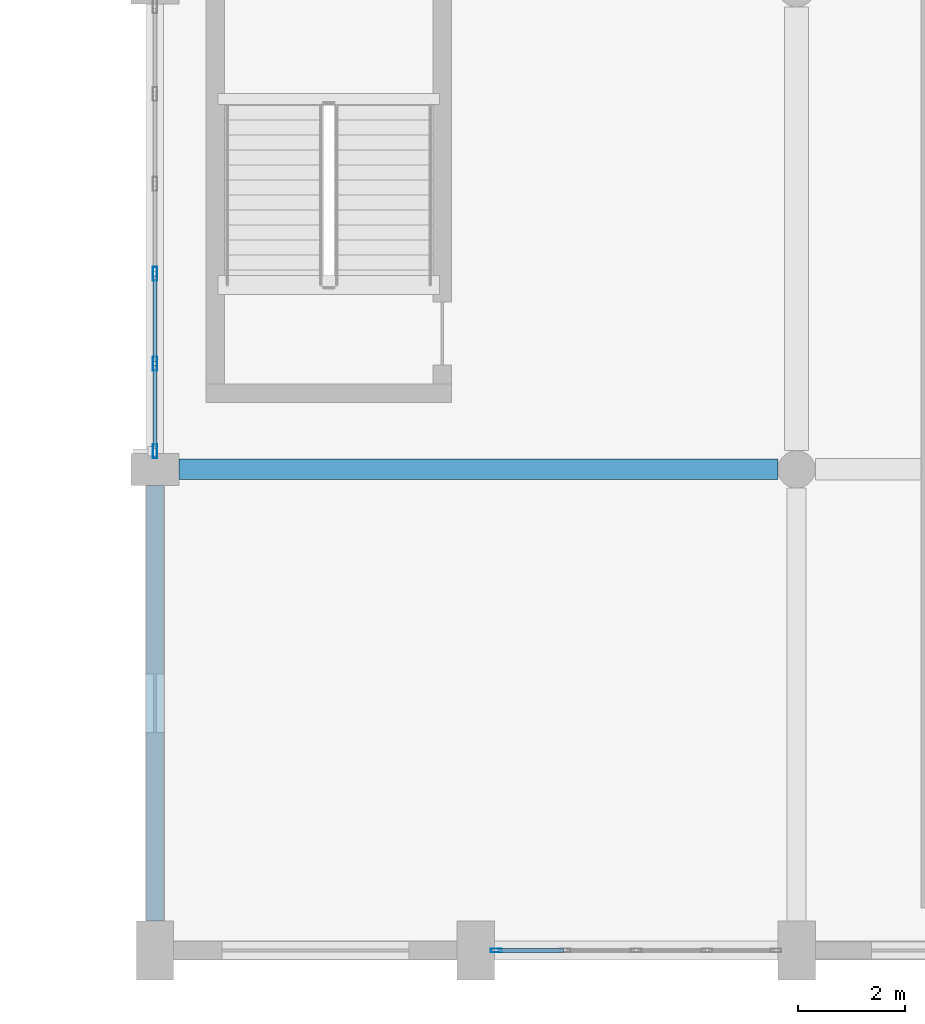
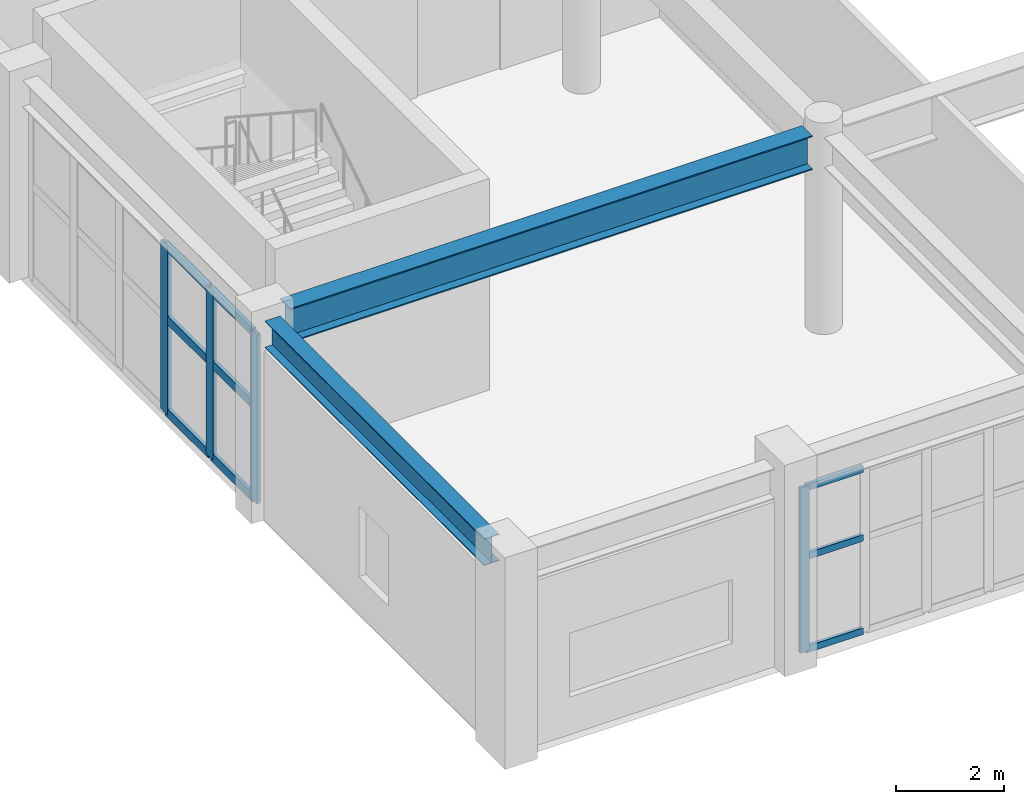
# One storey, part 4 of 85: 13 members, 2 beams, 2 elements without a shape of their own.
"""IFC4 building model written with IfcOpenShell, lengths in metres."""

from ifc_helpers import new_model, si_unit, direction, frame, origin, origin_2d, place, context, subcontext, project, spatial, hollow_rectangle, i_section, extrude, material, layer, layer_set, material_profile, profile_set, type_object, element, aggregate, save


model = new_model("IFC4")

# Units and contexts
model_context = context("Model", 3, precision=1e-05, world=origin(), true_north=direction((0.0, 1.0)))
body_context = subcontext(model_context, "Body", "Model", "MODEL_VIEW")
ifc_project = project(units=[si_unit("LENGTHUNIT", "METRE"), si_unit("AREAUNIT", "SQUARE_METRE"), si_unit("VOLUMEUNIT", "CUBIC_METRE"), si_unit("PLANEANGLEUNIT", "RADIAN"), si_unit("MASSUNIT", "GRAM", prefix="KILO")], contexts=[model_context])

# Site, building, storey
site_placement = place(None, origin())
site = spatial("IfcSite", under=ifc_project, at=site_placement, CompositionType="ELEMENT")
building_placement = place(site_placement, origin())
building = spatial("IfcBuilding", under=site, at=building_placement, Name="Vaelkrest Opera House", CompositionType="ELEMENT")
storey_placement = place(building_placement, frame((0.0, 0.0, 10.199951171875)))
storey = spatial("IfcBuildingStorey", under=building, at=storey_placement, Name="L02", CompositionType="ELEMENT", Elevation=10.199951171875)

# Beam
ifc_material_1 = material(Name="Steel A992 Gr50", Category="steel")
ifc_material_profile_1 = material_profile(ifc_material_1, i_section(OverallWidth=0.381103515625, OverallDepth=0.77294921875, WebThickness=0.0166015625, FlangeThickness=0.027099609375, at=origin_2d()), Name="W30X173")
ifc_profile_set_1 = profile_set([ifc_material_profile_1], Name="Steel A992 Gr50")
beam_type_1 = type_object("IfcBeamType", Name="B11", PredefinedType="BEAM", material=ifc_profile_set_1)
beam_1_placement = place(storey_placement, frame((-29.550048828125, -46.800048828125, 4.11865234375), z_axis=(1.0, 0.0, 0.0), x_axis=(0.0, 1.0, 0.0)))
element("IfcBeam", 1, at=beam_1_placement, inside=storey, type_object=beam_type_1, Name="Beam BM-V1-L02-0323", PredefinedType="BEAM", context=body_context, shape_type="SweptSolid", body=[
    extrude(i_section(OverallWidth=0.381103515625, OverallDepth=0.77294921875, WebThickness=0.0166015625, FlangeThickness=0.027099609375, at=origin_2d()), origin(), (0.0, 0.0, 1.0), 11.199951171875),
])

# Curtain wall, member
ifc_material_2 = material(Name="Dark bronze anodized aluminium", Category="aluminium")
ifc_layer_1 = layer(ifc_material_2, 0.18994140625)
ifc_layer_set_1 = layer_set([ifc_layer_1], Name="Dark bronze anodized aluminium")
curtain_wall_type_1 = type_object("IfcCurtainWallType", Name="CW02", PredefinedType="NOTDEFINED", material=ifc_layer_set_1)
curtain_wall_1_placement = place(storey_placement, origin())
curtain_wall_1 = element("IfcCurtainWall", 2, at=curtain_wall_1_placement, inside=storey, type_object=curtain_wall_type_1, Name="Curtain wall CW-L02-035", PredefinedType="NOTDEFINED")
ifc_material_profile_2 = material_profile(ifc_material_2, hollow_rectangle(XDim=0.070068359375, YDim=0.199951171875, WallThickness=0.004150390625, at=origin_2d()), Name="CWM70X200")
ifc_profile_set_2 = profile_set([ifc_material_profile_2], Name="Dark bronze anodized aluminium")
member_type_1 = type_object("IfcMemberType", Name="CWM02", PredefinedType="MULLION", material=ifc_profile_set_2)
member_1_placement = place(storey_placement, frame((-23.616943359375, -55.800048828125, 0.0), z_axis=(0.0, 0.0, 1.0), x_axis=(0.0, -1.0, 0.0)))
member_1 = element("IfcMember", 3, at=member_1_placement, type_object=member_type_1, Name="CW02 mullion 5", PredefinedType="MULLION", context=body_context, shape_type="SweptSolid", body=[
    extrude(hollow_rectangle(XDim=0.070068359375, YDim=0.199951171875, WallThickness=0.004150390625, at=origin_2d()), origin(), (0.0, 0.0, 1.0), 3.7451171875),
])

# Curtain wall, members
ifc_layer_2 = layer(ifc_material_2, 0.2099609375)
ifc_layer_set_2 = layer_set([ifc_layer_2], Name="Dark bronze anodized aluminium")
curtain_wall_type_2 = type_object("IfcCurtainWallType", Name="CW04", PredefinedType="NOTDEFINED", material=ifc_layer_set_2)
curtain_wall_2_placement = place(storey_placement, origin())
curtain_wall_2 = element("IfcCurtainWall", 4, at=curtain_wall_2_placement, inside=storey, type_object=curtain_wall_type_2, Name="Curtain wall CW-L02-036", PredefinedType="NOTDEFINED")
ifc_material_profile_3 = material_profile(ifc_material_2, hollow_rectangle(XDim=0.080078125, YDim=0.260009765625, WallThickness=0.0048828125, at=origin_2d()), Name="CWM80X260")
ifc_profile_set_3 = profile_set([ifc_material_profile_3], Name="Dark bronze anodized aluminium")
member_type_2 = type_object("IfcMemberType", Name="CWM04", PredefinedType="MULLION", material=ifc_profile_set_3)
member_2_placement = place(storey_placement, frame((-30.0, -46.4619140625, 0.0), z_axis=(0.0, 0.0, 1.0), x_axis=(-1.0, 0.0, 0.0)))
member_2 = element("IfcMember", 5, at=member_2_placement, type_object=member_type_2, Name="CW04 mullion 1", PredefinedType="MULLION", context=body_context, shape_type="SweptSolid", body=[
    extrude(hollow_rectangle(XDim=0.080078125, YDim=0.260009765625, WallThickness=0.0048828125, at=origin_2d()), origin(), (0.0, 0.0, 1.0), 3.8291015625),
])
member_3_placement = place(storey_placement, frame((-30.0, -44.8212890625, 0.0), z_axis=(0.0, 0.0, 1.0), x_axis=(-1.0, 0.0, 0.0)))
member_3 = element("IfcMember", 6, at=member_3_placement, type_object=member_type_2, Name="CW04 mullion 2", PredefinedType="MULLION", context=body_context, shape_type="SweptSolid", body=[
    extrude(hollow_rectangle(XDim=0.080078125, YDim=0.260009765625, WallThickness=0.0048828125, at=origin_2d()), origin(), (0.0, 0.0, 1.0), 3.8291015625),
])
member_4_placement = place(storey_placement, frame((-30.0, -43.140380859375, 0.0), z_axis=(0.0, 0.0, 1.0), x_axis=(-1.0, 0.0, 0.0)))
member_4 = element("IfcMember", 7, at=member_4_placement, type_object=member_type_2, Name="CW04 mullion 3", PredefinedType="MULLION", context=body_context, shape_type="SweptSolid", body=[
    extrude(hollow_rectangle(XDim=0.080078125, YDim=0.260009765625, WallThickness=0.0048828125, at=origin_2d()), origin(), (0.0, 0.0, 1.0), 3.8291015625),
])

# Member
ifc_material_profile_4 = material_profile(ifc_material_2, hollow_rectangle(XDim=0.070068359375, YDim=0.14990234375, WallThickness=0.004150390625, at=origin_2d()), Name="CWT70X150")
ifc_profile_set_4 = profile_set([ifc_material_profile_4], Name="Dark bronze anodized aluminium")
member_type_3 = type_object("IfcMemberType", Name="CWT02", PredefinedType="USERDEFINED", material=ifc_profile_set_4)
member_5_placement = place(storey_placement, frame((-22.361083984375, -55.800048828125, 0.03515625), z_axis=(-1.0, 0.0, 0.0), x_axis=(0.0, -1.0, 0.0)))
member_5 = element("IfcMember", 8, at=member_5_placement, type_object=member_type_3, Name="CW02 transom 4.1", ObjectType="TRANSOM", PredefinedType="USERDEFINED", context=body_context, shape_type="SweptSolid", body=[
    extrude(hollow_rectangle(XDim=0.070068359375, YDim=0.14990234375, WallThickness=0.004150390625, at=origin_2d()), origin(), (0.0, 0.0, 1.0), 1.220947265625),
])

member_6_placement = place(storey_placement, frame((-22.361083984375, -55.800048828125, 2.150146484375), z_axis=(-1.0, 0.0, 0.0), x_axis=(0.0, -1.0, 0.0)))
member_6 = element("IfcMember", 9, at=member_6_placement, type_object=member_type_3, Name="CW02 transom 4.2", ObjectType="TRANSOM", PredefinedType="USERDEFINED", context=body_context, shape_type="SweptSolid", body=[
    extrude(hollow_rectangle(XDim=0.070068359375, YDim=0.14990234375, WallThickness=0.004150390625, at=origin_2d()), origin(), (0.0, 0.0, 1.0), 1.220947265625),
])

member_7_placement = place(storey_placement, frame((-22.361083984375, -55.800048828125, 3.7099609375), z_axis=(-1.0, 0.0, 0.0), x_axis=(0.0, -1.0, 0.0)))
member_7 = element("IfcMember", 10, at=member_7_placement, type_object=member_type_3, Name="CW02 transom 4.3", ObjectType="TRANSOM", PredefinedType="USERDEFINED", context=body_context, shape_type="SweptSolid", body=[
    extrude(hollow_rectangle(XDim=0.070068359375, YDim=0.14990234375, WallThickness=0.004150390625, at=origin_2d()), origin(), (0.0, 0.0, 1.0), 1.220947265625),
])

aggregate(curtain_wall_1, [member_1, member_5, member_6, member_7])

ifc_material_profile_5 = material_profile(ifc_material_2, hollow_rectangle(XDim=0.080078125, YDim=0.18994140625, WallThickness=0.0048828125, at=origin_2d()), Name="CWT80X190")
ifc_profile_set_5 = profile_set([ifc_material_profile_5], Name="Dark bronze anodized aluminium")
member_type_4 = type_object("IfcMemberType", Name="CWT04", PredefinedType="USERDEFINED", material=ifc_profile_set_5)
member_8_placement = place(storey_placement, frame((-30.0, -46.422119140625, 0.0400390625), z_axis=(0.0, 1.0, 0.0), x_axis=(-1.0, 0.0, 0.0)))
member_8 = element("IfcMember", 11, at=member_8_placement, type_object=member_type_4, Name="CW04 transom 1.1", ObjectType="TRANSOM", PredefinedType="USERDEFINED", context=body_context, shape_type="SweptSolid", body=[
    extrude(hollow_rectangle(XDim=0.080078125, YDim=0.18994140625, WallThickness=0.0048828125, at=origin_2d()), origin(), (0.0, 0.0, 1.0), 1.56103515625),
])

member_9_placement = place(storey_placement, frame((-30.0, -46.422119140625, 2.150146484375), z_axis=(0.0, 1.0, 0.0), x_axis=(-1.0, 0.0, 0.0)))
member_9 = element("IfcMember", 12, at=member_9_placement, type_object=member_type_4, Name="CW04 transom 1.2", ObjectType="TRANSOM", PredefinedType="USERDEFINED", context=body_context, shape_type="SweptSolid", body=[
    extrude(hollow_rectangle(XDim=0.080078125, YDim=0.18994140625, WallThickness=0.0048828125, at=origin_2d()), origin(), (0.0, 0.0, 1.0), 1.56103515625),
])

member_10_placement = place(storey_placement, frame((-30.0, -46.422119140625, 3.7890625), z_axis=(0.0, 1.0, 0.0), x_axis=(-1.0, 0.0, 0.0)))
member_10 = element("IfcMember", 13, at=member_10_placement, type_object=member_type_4, Name="CW04 transom 1.3", ObjectType="TRANSOM", PredefinedType="USERDEFINED", context=body_context, shape_type="SweptSolid", body=[
    extrude(hollow_rectangle(XDim=0.080078125, YDim=0.18994140625, WallThickness=0.0048828125, at=origin_2d()), origin(), (0.0, 0.0, 1.0), 1.56103515625),
])

member_11_placement = place(storey_placement, frame((-30.0, -44.78125, 0.0400390625), z_axis=(0.0, 1.0, 0.0), x_axis=(-1.0, 0.0, 0.0)))
member_11 = element("IfcMember", 14, at=member_11_placement, type_object=member_type_4, Name="CW04 transom 2.1", ObjectType="TRANSOM", PredefinedType="USERDEFINED", context=body_context, shape_type="SweptSolid", body=[
    extrude(hollow_rectangle(XDim=0.080078125, YDim=0.18994140625, WallThickness=0.0048828125, at=origin_2d()), origin(), (0.0, 0.0, 1.0), 1.600830078125),
])

member_12_placement = place(storey_placement, frame((-30.0, -44.78125, 2.150146484375), z_axis=(0.0, 1.0, 0.0), x_axis=(-1.0, 0.0, 0.0)))
member_12 = element("IfcMember", 15, at=member_12_placement, type_object=member_type_4, Name="CW04 transom 2.2", ObjectType="TRANSOM", PredefinedType="USERDEFINED", context=body_context, shape_type="SweptSolid", body=[
    extrude(hollow_rectangle(XDim=0.080078125, YDim=0.18994140625, WallThickness=0.0048828125, at=origin_2d()), origin(), (0.0, 0.0, 1.0), 1.600830078125),
])

member_13_placement = place(storey_placement, frame((-30.0, -44.78125, 3.7890625), z_axis=(0.0, 1.0, 0.0), x_axis=(-1.0, 0.0, 0.0)))
member_13 = element("IfcMember", 16, at=member_13_placement, type_object=member_type_4, Name="CW04 transom 2.3", ObjectType="TRANSOM", PredefinedType="USERDEFINED", context=body_context, shape_type="SweptSolid", body=[
    extrude(hollow_rectangle(XDim=0.080078125, YDim=0.18994140625, WallThickness=0.0048828125, at=origin_2d()), origin(), (0.0, 0.0, 1.0), 1.600830078125),
])

aggregate(curtain_wall_2, [member_2, member_3, member_4, member_8, member_9, member_10, member_11, member_12, member_13])

# Beam
ifc_material_profile_6 = material_profile(ifc_material_1, i_section(OverallWidth=0.323974609375, OverallDepth=0.611083984375, WebThickness=0.0126953125, FlangeThickness=0.01904296875, at=origin_2d()), Name="W24X104")
ifc_profile_set_6 = profile_set([ifc_material_profile_6], Name="Steel A992 Gr50")
beam_type_2 = type_object("IfcBeamType", Name="SP01", PredefinedType="SPANDREL", material=ifc_profile_set_6)
beam_2_placement = place(storey_placement, frame((-30.0, -55.25, 4.199462890625), z_axis=(0.0, 1.0, 0.0), x_axis=(-1.0, 0.0, 0.0)))
element("IfcBeam", 17, at=beam_2_placement, inside=storey, type_object=beam_type_2, Name="Beam BM-V1-L02-0365", PredefinedType="SPANDREL", context=body_context, shape_type="SweptSolid", body=[
    extrude(i_section(OverallWidth=0.323974609375, OverallDepth=0.611083984375, WebThickness=0.0126953125, FlangeThickness=0.01904296875, at=origin_2d()), origin(), (0.0, 0.0, 1.0), 8.14990234375),
])

save(model, "model.ifc")
